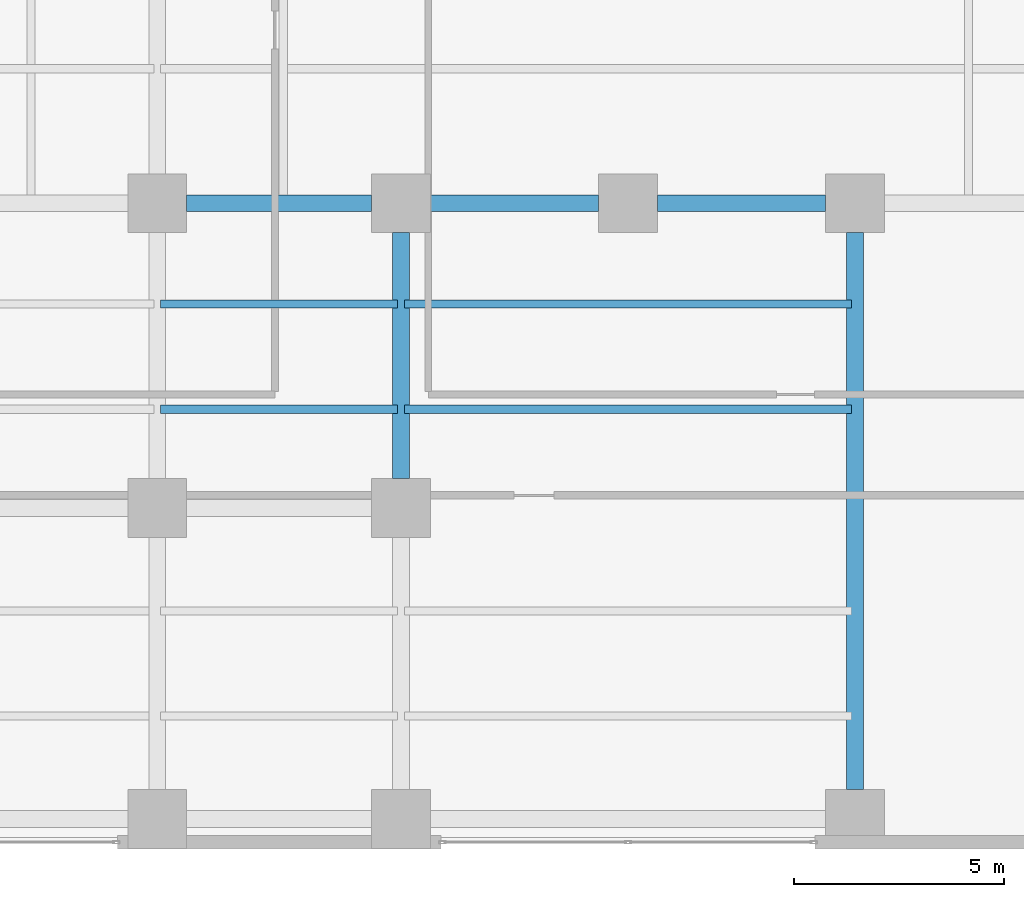
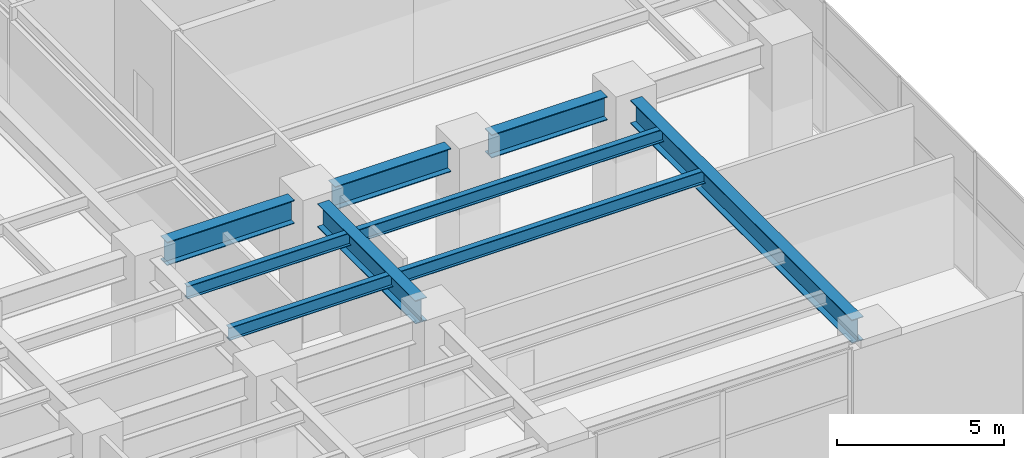
# One storey, part 8 of 29: 9 beams.
"""IFC4 building model written with IfcOpenShell, lengths in metres."""

from ifc_helpers import new_model, si_unit, direction, frame, origin, origin_2d, place, context, subcontext, project, spatial, i_section, extrude, material, material_profile, profile_set, type_object, element, save


model = new_model("IFC4")

# Units and contexts
model_context = context("Model", 3, precision=1e-05, world=origin(), true_north=direction((0.0, 1.0)))
body_context = subcontext(model_context, "Body", "Model", "MODEL_VIEW")
ifc_project = project(units=[si_unit("LENGTHUNIT", "METRE"), si_unit("AREAUNIT", "SQUARE_METRE"), si_unit("VOLUMEUNIT", "CUBIC_METRE"), si_unit("PLANEANGLEUNIT", "RADIAN"), si_unit("MASSUNIT", "GRAM", prefix="KILO")], contexts=[model_context])

# Site, building, storey
site_placement = place(None, origin())
site = spatial("IfcSite", under=ifc_project, at=site_placement, CompositionType="ELEMENT")
building_placement = place(site_placement, origin())
building = spatial("IfcBuilding", under=site, at=building_placement, Name="Mawjaban Terraces University", CompositionType="ELEMENT")
storey_placement = place(building_placement, frame((0.0, 0.0, 15.60009765625)))
storey = spatial("IfcBuildingStorey", under=building, at=storey_placement, Name="L03", CompositionType="ELEMENT", Elevation=15.60009765625)

# Beams
ifc_material = material(Name="Steel ASTM A572 Grade 50", Category="steel")
ifc_material_profile_1 = material_profile(ifc_material, i_section(OverallWidth=0.39990234375, OverallDepth=0.85498046875, WebThickness=0.018310546875, FlangeThickness=0.029296875, at=origin_2d()), Name="W840X299")
ifc_profile_set_1 = profile_set([ifc_material_profile_1], Name="Steel ASTM A572 Grade 50")
beam_type_1 = type_object("IfcBeamType", Name="Beam_B_W840X299", PredefinedType="BEAM", material=ifc_profile_set_1)
beam_1_placement = place(storey_placement, frame((52.699951171875, 15.199951171875, 4.492919921875), z_axis=(1.0, 0.0, 0.0), x_axis=(0.0, 1.0, 0.0)))
element("IfcBeam", 1, at=beam_1_placement, inside=storey, type_object=beam_type_1, Name="L03 Beam BM-L03-EW-08", PredefinedType="BEAM", context=body_context, shape_type="SweptSolid", body=[
    extrude(i_section(OverallWidth=0.39990234375, OverallDepth=0.85498046875, WebThickness=0.018310546875, FlangeThickness=0.029296875, at=origin_2d()), origin(), (0.0, 0.0, 1.0), 4.400146484375),
])
for number, where, z_axis, x_axis, name in (
    (2, (58.5, 15.199951171875, 4.492919921875), (1.0, 0.0, 0.0), (0.0, 1.0, 0.0), "L03 Beam BM-L03-EW-09"),
    (3, (63.89990234375, 15.199951171875, 4.492919921875), (1.0, 0.0, 0.0), (0.0, 1.0, 0.0), "L03 Beam BM-L03-EW-10"),
):
    element("IfcBeam", number, at=place(storey_placement, frame(where, z_axis=z_axis, x_axis=x_axis)), inside=storey, type_object=beam_type_1, Name=name, PredefinedType="BEAM", context=body_context, shape_type="SweptSolid", body=[
        extrude(i_section(OverallWidth=0.39990234375, OverallDepth=0.85498046875, WebThickness=0.018310546875, FlangeThickness=0.029296875, at=origin_2d()), origin(), (0.0, 0.0, 1.0), 4.0),
    ])
beam_2_placement = place(storey_placement, frame((57.800048828125, 8.64990234375, 4.492919921875), z_axis=(0.0, 1.0, 0.0), x_axis=(-1.0, 0.0, 0.0)))
element("IfcBeam", 4, at=beam_2_placement, inside=storey, type_object=beam_type_1, Name="L03 Beam BM-L03-NS-20", PredefinedType="BEAM", context=body_context, shape_type="SweptSolid", body=[
    extrude(i_section(OverallWidth=0.39990234375, OverallDepth=0.85498046875, WebThickness=0.018310546875, FlangeThickness=0.029296875, at=origin_2d()), origin(), (0.0, 0.0, 1.0), 5.85009765625),
])
beam_3_placement = place(storey_placement, frame((68.60009765625, 1.25, 4.492919921875), z_axis=(0.0, 1.0, 0.0), x_axis=(-1.0, 0.0, 0.0)))
element("IfcBeam", 5, at=beam_3_placement, inside=storey, type_object=beam_type_1, Name="L03 Beam BM-L03-NS-21", PredefinedType="BEAM", context=body_context, shape_type="SweptSolid", body=[
    extrude(i_section(OverallWidth=0.39990234375, OverallDepth=0.85498046875, WebThickness=0.018310546875, FlangeThickness=0.029296875, at=origin_2d()), origin(), (0.0, 0.0, 1.0), 13.25),
])
ifc_material_profile_2 = material_profile(ifc_material, i_section(OverallWidth=0.194091796875, OverallDepth=0.468994140625, WebThickness=0.011474609375, FlangeThickness=0.0205078125, at=origin_2d()), Name="W460X106")
ifc_profile_set_2 = profile_set([ifc_material_profile_2], Name="Steel ASTM A572 Grade 50")
beam_type_2 = type_object("IfcBeamType", Name="Beam_J_W460X106", PredefinedType="JOIST", material=ifc_profile_set_2)
beam_4_placement = place(storey_placement, frame((52.080078125, 10.300048828125, 4.684814453125), z_axis=(1.0, 0.0, 0.0), x_axis=(0.0, 1.0, 0.0)))
element("IfcBeam", 6, at=beam_4_placement, inside=storey, type_object=beam_type_2, Name="L03 Composite Joist JST-L03-09", PredefinedType="JOIST", context=body_context, shape_type="SweptSolid", body=[
    extrude(i_section(OverallWidth=0.194091796875, OverallDepth=0.468994140625, WebThickness=0.011474609375, FlangeThickness=0.0205078125, at=origin_2d()), origin(), (0.0, 0.0, 1.0), 5.639892578125),
])
beam_5_placement = place(storey_placement, frame((57.8798828125, 10.300048828125, 4.684814453125), z_axis=(1.0, 0.0, 0.0), x_axis=(0.0, 1.0, 0.0)))
element("IfcBeam", 7, at=beam_5_placement, inside=storey, type_object=beam_type_2, Name="L03 Composite Joist JST-L03-10", PredefinedType="JOIST", context=body_context, shape_type="SweptSolid", body=[
    extrude(i_section(OverallWidth=0.194091796875, OverallDepth=0.468994140625, WebThickness=0.011474609375, FlangeThickness=0.0205078125, at=origin_2d()), origin(), (0.0, 0.0, 1.0), 10.64013671875),
])
beam_6_placement = place(storey_placement, frame((52.080078125, 12.800048828125, 4.684814453125), z_axis=(1.0, 0.0, 0.0), x_axis=(0.0, 1.0, 0.0)))
element("IfcBeam", 8, at=beam_6_placement, inside=storey, type_object=beam_type_2, Name="L03 Composite Joist JST-L03-13", PredefinedType="JOIST", context=body_context, shape_type="SweptSolid", body=[
    extrude(i_section(OverallWidth=0.194091796875, OverallDepth=0.468994140625, WebThickness=0.011474609375, FlangeThickness=0.0205078125, at=origin_2d()), origin(), (0.0, 0.0, 1.0), 5.639892578125),
])
beam_7_placement = place(storey_placement, frame((57.8798828125, 12.800048828125, 4.684814453125), z_axis=(1.0, 0.0, 0.0), x_axis=(0.0, 1.0, 0.0)))
element("IfcBeam", 9, at=beam_7_placement, inside=storey, type_object=beam_type_2, Name="L03 Composite Joist JST-L03-14", PredefinedType="JOIST", context=body_context, shape_type="SweptSolid", body=[
    extrude(i_section(OverallWidth=0.194091796875, OverallDepth=0.468994140625, WebThickness=0.011474609375, FlangeThickness=0.0205078125, at=origin_2d()), origin(), (0.0, 0.0, 1.0), 10.64013671875),
])

save(model, "model.ifc")
